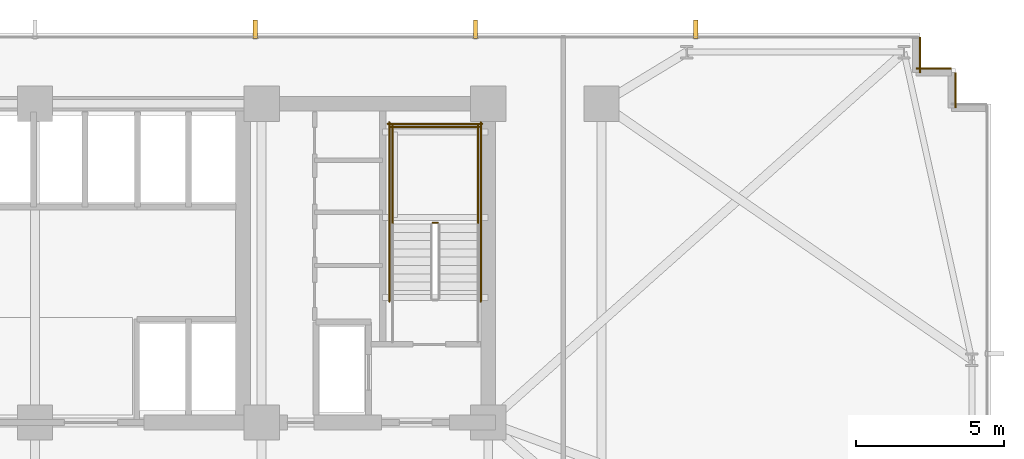
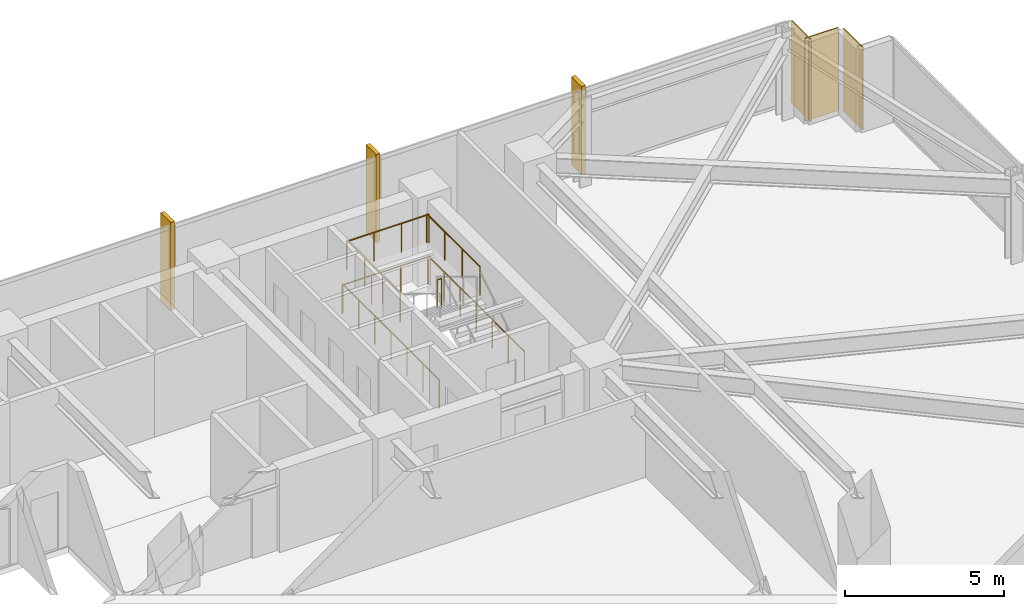
# One storey, part 32 of 33: 7 railings, 3 coverings, 3 shading devices.
"""IFC4 building model written with IfcOpenShell, lengths in metres."""

from ifc_helpers import new_model, si_unit, direction, frame, frame_2d, origin, origin_2d, place, context, subcontext, project, spatial, rectangle, circle, extrude, material, layer, layer_set, type_object, element, save


model = new_model("IFC4")

# Units and contexts
model_context = context("Model", 3, precision=1e-05, world=origin(), true_north=direction((0.0, 1.0)))
body_context = subcontext(model_context, "Body", "Model", "MODEL_VIEW")
ifc_project = project(units=[si_unit("LENGTHUNIT", "METRE"), si_unit("AREAUNIT", "SQUARE_METRE"), si_unit("VOLUMEUNIT", "CUBIC_METRE"), si_unit("PLANEANGLEUNIT", "RADIAN"), si_unit("MASSUNIT", "GRAM", prefix="KILO")], contexts=[model_context])

# Site, building, storey
site_placement = place(None, origin())
site = spatial("IfcSite", under=ifc_project, at=site_placement, CompositionType="ELEMENT")
building_placement = place(site_placement, origin())
building = spatial("IfcBuilding", under=site, at=building_placement, Name="Yelkora Congress Tower", CompositionType="ELEMENT")
storey_placement = place(building_placement, frame((0.0, 0.0, 47.39990234375)))
storey = spatial("IfcBuildingStorey", under=building, at=storey_placement, Name="L11", CompositionType="ELEMENT", Elevation=47.39990234375)

# Coverings
ifc_material_1 = material(Name="Anatolian bush-hammered limestone", Category="masonry")
ifc_layer_1 = layer(ifc_material_1, 0.0400390625)
ifc_layer_set_1 = layer_set([ifc_layer_1], Name="Anatolian bush-hammered limestone")
covering_type = type_object("IfcCoveringType", Name="COV-CLAD-SPANDREL-40", PredefinedType="CLADDING", material=ifc_layer_set_1)
for number, where, z_axis, x_axis, name in (
    (1, (68.39501953125, 48.4599609375, 0.0), (0.0, 0.0, 1.0), (0.0, -1.0, 0.0), "L11 Anatolian Limestone Cladding EW-L11-SR11"),
    (2, (68.260009765625, 47.39501953125, 0.0), (0.0, 0.0, 1.0), (1.0, 0.0, 0.0), "L11 Anatolian Limestone Cladding EW-L11-SR12"),
    (3, (69.594970703125, 47.260009765625, 0.0), (0.0, 0.0, 1.0), (0.0, -1.0, 0.0), "L11 Anatolian Limestone Cladding EW-L11-SR13"),
):
    element("IfcCovering", number, at=place(storey_placement, frame(where, z_axis=z_axis, x_axis=x_axis)), inside=storey, type_object=covering_type, Name=name, PredefinedType="CLADDING", context=body_context, shape_type="SweptSolid", body=[
        extrude(rectangle(XDim=1.199951171875, YDim=0.0400390625, at=frame_2d((0.60009765625, 0.0))), origin(), (0.0, 0.0, 1.0), 3.18017578125),
    ])

# Railings
ifc_material_2 = material(Name="Painted galvanised steel stair well guard with vertical infill", Category="steel")
ifc_layer_2 = layer(ifc_material_2, 0.06005859375)
ifc_layer_set_2 = layer_set([ifc_layer_2], Name="Painted galvanised steel stair well guard with vertical infill")
railing_type = type_object("IfcRailingType", Name="RAIL-STAIR-GUARD-1120", PredefinedType="GUARDRAIL", material=ifc_layer_set_2)
railing_1_placement = place(storey_placement, frame((52.0400390625, 42.169921875, 1.7001953125)))
element("IfcRailing", 4, at=railing_1_placement, inside=storey, type_object=railing_type, Name="ST-02 L11 Stair Well Guardrail 2", PredefinedType="GUARDRAIL", context=body_context, shape_type="SweptSolid", body=[
    extrude(circle(Radius=0.02392578125, at=origin_2d()), frame((0.0, 0.0, 1.09619140625), z_axis=(-1.0, 0.0, 0.0), x_axis=(0.0, -1.0, 0.0)), (0.0, 0.0, 1.0), 0.16015625),
    extrude(circle(Radius=0.02099609375, at=origin_2d()), origin(), (0.0, 0.0, 1.0), 1.072021484375),
    extrude(circle(Radius=0.02099609375, at=origin_2d()), frame((-0.16015625, 0.0, 0.0)), (0.0, 0.0, 1.0), 1.072021484375),
])
for number, where, name in (
    (5, (53.409912109375, 42.1201171875, 1.7001953125), "ST-02 L11 Stair Well Guardrail 3"),
    (6, (50.510009765625, 42.1201171875, 1.7001953125), "ST-02 L11 Stair Well Guardrail 4"),
):
    element("IfcRailing", number, at=place(storey_placement, frame(where)), inside=storey, type_object=railing_type, Name=name, PredefinedType="GUARDRAIL", context=body_context, shape_type="SweptSolid", body=[
        extrude(circle(Radius=0.02392578125, at=origin_2d()), frame((0.0, 0.0, 1.09619140625), z_axis=(0.0, 1.0, 0.0), x_axis=(-1.0, 0.0, 0.0)), (0.0, 0.0, 1.0), 3.349853515625),
        extrude(circle(Radius=0.02099609375, at=origin_2d()), origin(), (0.0, 0.0, 1.0), 1.072021484375),
        extrude(circle(Radius=0.02099609375, at=origin_2d()), frame((0.0, 1.11669921875, 0.0)), (0.0, 0.0, 1.0), 1.072021484375),
        extrude(circle(Radius=0.02099609375, at=origin_2d()), frame((0.0, 2.233154296875, 0.0)), (0.0, 0.0, 1.0), 1.072021484375),
        extrude(circle(Radius=0.02099609375, at=origin_2d()), frame((0.0, 3.349853515625, 0.0)), (0.0, 0.0, 1.0), 1.072021484375),
    ])
railing_2_placement = place(storey_placement, frame((53.4599609375, 45.419921875, 1.7001953125)))
element("IfcRailing", 7, at=railing_2_placement, inside=storey, type_object=railing_type, Name="ST-02 L11 Stair Well Guardrail 5", PredefinedType="GUARDRAIL", context=body_context, shape_type="SweptSolid", body=[
    extrude(circle(Radius=0.02392578125, at=origin_2d()), frame((0.0, 0.0, 1.09619140625), z_axis=(-1.0, 0.0, 0.0), x_axis=(0.0, -1.0, 0.0)), (0.0, 0.0, 1.0), 3.0),
    extrude(circle(Radius=0.02099609375, at=origin_2d()), origin(), (0.0, 0.0, 1.0), 1.072021484375),
    extrude(circle(Radius=0.02099609375, at=origin_2d()), frame((-1.0, 0.0, 0.0)), (0.0, 0.0, 1.0), 1.072021484375),
    extrude(circle(Radius=0.02099609375, at=origin_2d()), frame((-2.0, 0.0, 0.0)), (0.0, 0.0, 1.0), 1.072021484375),
    extrude(circle(Radius=0.02099609375, at=origin_2d()), frame((-3.0, 0.0, 0.0)), (0.0, 0.0, 1.0), 1.072021484375),
])
for number, where, name in (
    (8, (53.510009765625, 39.5, 0.0), "ST-02 L11 Stair Well Guardrail 10"),
    (9, (50.409912109375, 39.5, 0.0), "ST-02 L11 Stair Well Guardrail 11"),
):
    element("IfcRailing", number, at=place(storey_placement, frame(where)), inside=storey, type_object=railing_type, Name=name, PredefinedType="GUARDRAIL", context=body_context, shape_type="SweptSolid", body=[
        extrude(circle(Radius=0.02392578125, at=origin_2d()), frame((0.0, 0.0, 1.09619140625), z_axis=(0.0, 1.0, 0.0), x_axis=(-1.0, 0.0, 0.0)), (0.0, 0.0, 1.0), 6.070068359375),
        extrude(circle(Radius=0.02099609375, at=origin_2d()), origin(), (0.0, 0.0, 1.0), 1.072021484375),
        extrude(circle(Radius=0.02099609375, at=origin_2d()), frame((0.0, 1.01171875, 0.0)), (0.0, 0.0, 1.0), 1.072021484375),
        extrude(circle(Radius=0.02099609375, at=origin_2d()), frame((0.0, 2.0234375, 0.0)), (0.0, 0.0, 1.0), 1.072021484375),
        extrude(circle(Radius=0.02099609375, at=origin_2d()), frame((0.0, 3.03515625, 0.0)), (0.0, 0.0, 1.0), 1.072021484375),
        extrude(circle(Radius=0.02099609375, at=origin_2d()), frame((0.0, 4.046630859375, 0.0)), (0.0, 0.0, 1.0), 1.072021484375),
        extrude(circle(Radius=0.02099609375, at=origin_2d()), frame((0.0, 5.058349609375, 0.0)), (0.0, 0.0, 1.0), 1.072021484375),
        extrude(circle(Radius=0.02099609375, at=origin_2d()), frame((0.0, 6.070068359375, 0.0)), (0.0, 0.0, 1.0), 1.072021484375),
    ])
railing_3_placement = place(storey_placement, frame((53.56005859375, 45.52001953125, 0.0)))
element("IfcRailing", 10, at=railing_3_placement, inside=storey, type_object=railing_type, Name="ST-02 L11 Stair Well Guardrail 12", PredefinedType="GUARDRAIL", context=body_context, shape_type="SweptSolid", body=[
    extrude(circle(Radius=0.02392578125, at=origin_2d()), frame((0.0, 0.0, 1.09619140625), z_axis=(-1.0, 0.0, 0.0), x_axis=(0.0, -1.0, 0.0)), (0.0, 0.0, 1.0), 3.199951171875),
    extrude(circle(Radius=0.02099609375, at=origin_2d()), origin(), (0.0, 0.0, 1.0), 1.072021484375),
    extrude(circle(Radius=0.02099609375, at=origin_2d()), frame((-1.066650390625, 0.0, 0.0)), (0.0, 0.0, 1.0), 1.072021484375),
    extrude(circle(Radius=0.02099609375, at=origin_2d()), frame((-2.13330078125, 0.0, 0.0)), (0.0, 0.0, 1.0), 1.072021484375),
    extrude(circle(Radius=0.02099609375, at=origin_2d()), frame((-3.199951171875, 0.0, 0.0)), (0.0, 0.0, 1.0), 1.072021484375),
])

# Shading devices
ifc_material_3 = material(Name="Champagne anodised aluminium", Category="aluminium")
ifc_layer_3 = layer(ifc_material_3, 3.39990234375)
ifc_layer_set_3 = layer_set([ifc_layer_3], Name="Champagne anodised aluminium")
shading_device_type = type_object("IfcShadingDeviceType", Name="SHD-FIN-ALU-640", PredefinedType="USERDEFINED", material=ifc_layer_set_3)
for number, where, z_axis, x_axis, name in (
    (11, (45.864990234375, 48.719970703125, -0.02978515625), (0.0, 0.0, 1.0), (1.0, 0.0, 0.0), "L11 Vertical Anodised Solar Fin 10-5"),
    (12, (53.330078125, 48.719970703125, -0.02978515625), (0.0, 0.0, 1.0), (1.0, 0.0, 0.0), "L11 Vertical Anodised Solar Fin 10-6"),
    (13, (60.794921875, 48.719970703125, -0.02978515625), (0.0, 0.0, 1.0), (1.0, 0.0, 0.0), "L11 Vertical Anodised Solar Fin 10-7"),
):
    element("IfcShadingDevice", number, at=place(storey_placement, frame(where, z_axis=z_axis, x_axis=x_axis)), inside=storey, type_object=shading_device_type, Name=name, ObjectType="FIN", PredefinedType="USERDEFINED", context=body_context, shape_type="SweptSolid", body=[
        extrude(rectangle(XDim=0.139892578125, YDim=0.639892578125, at=origin_2d()), origin(), (0.0, 0.0, 1.0), 3.3798828125),
    ])

save(model, "model.ifc")
